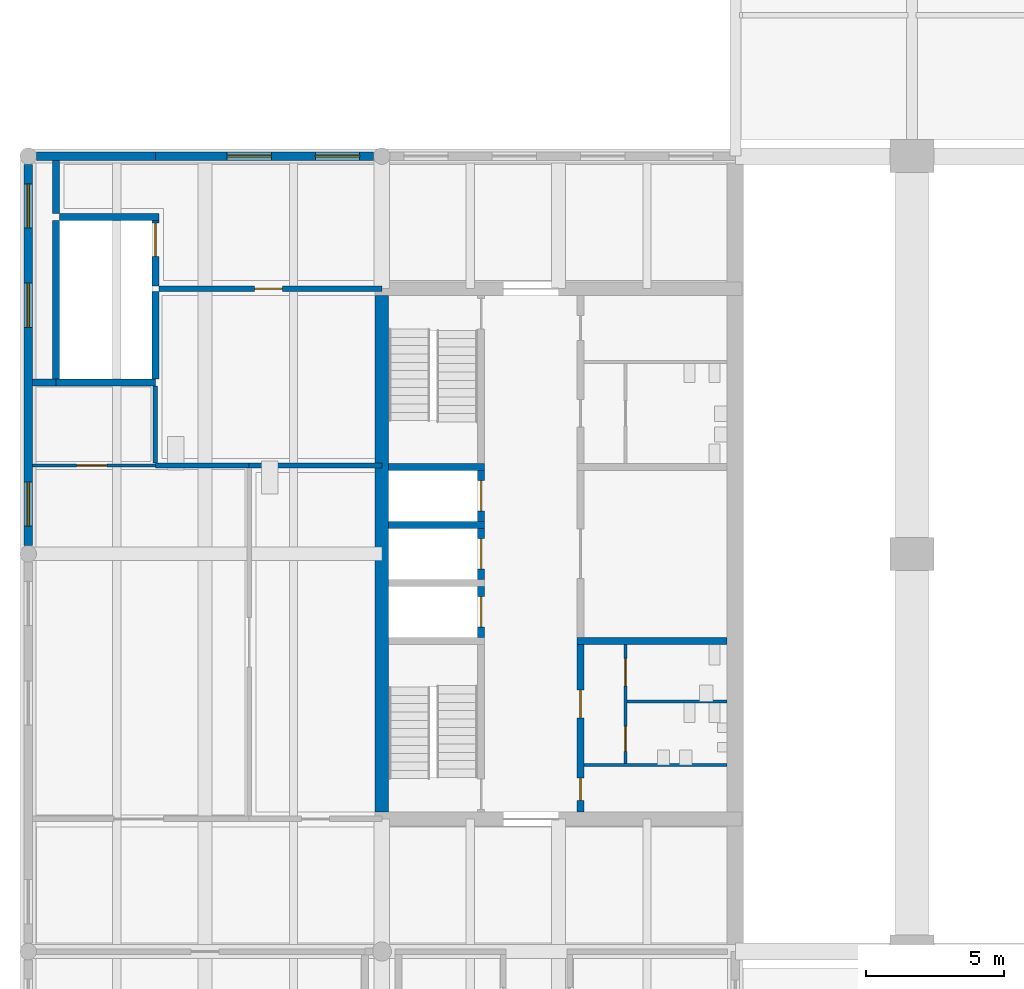
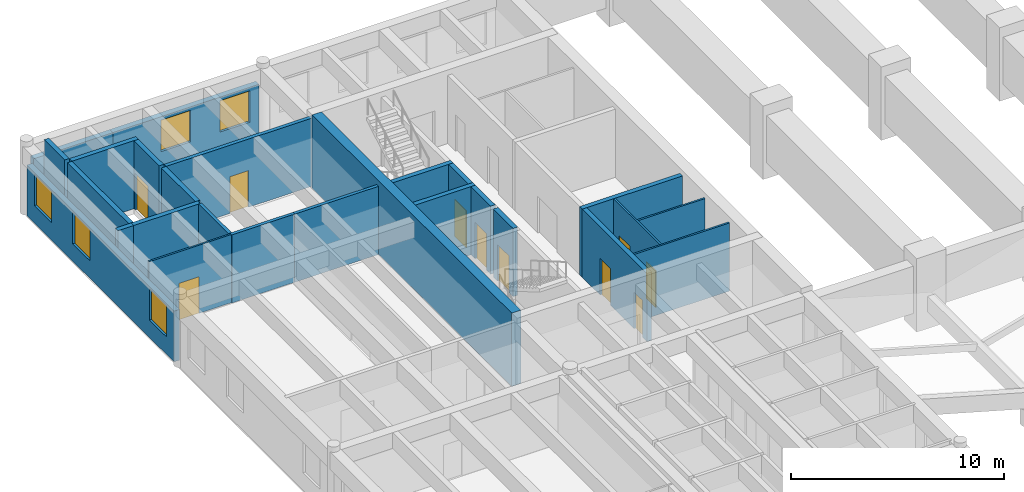
# One storey, part 8 of 19: 26 walls, 10 doors, 5 windows, 15 openings.
"""IFC4 building model written with IfcOpenShell, lengths in metres."""

from ifc_helpers import new_model, si_unit, direction, frame, frame_2d, origin, place, context, subcontext, project, spatial, rectangle, extrude, material, layer, layer_set, type_object, element, fill, save


model = new_model("IFC4")

# Units and contexts
model_context = context("Model", 3, precision=1e-05, world=origin(), true_north=direction((0.0, 1.0)))
body_context = subcontext(model_context, "Body", "Model", "MODEL_VIEW")
ifc_project = project(units=[si_unit("LENGTHUNIT", "METRE"), si_unit("AREAUNIT", "SQUARE_METRE"), si_unit("VOLUMEUNIT", "CUBIC_METRE"), si_unit("PLANEANGLEUNIT", "RADIAN"), si_unit("MASSUNIT", "GRAM", prefix="KILO")], contexts=[model_context])

# Site, building, storey
site_placement = place(None, origin())
site = spatial("IfcSite", under=ifc_project, at=site_placement, CompositionType="ELEMENT")
building_placement = place(site_placement, origin())
building = spatial("IfcBuilding", under=site, at=building_placement, Name="Fogon Plaza Fire Station and Headquarters Tower", CompositionType="ELEMENT")
storey_placement = place(building_placement, frame((0.0, 0.0, 4.199951171875)))
storey = spatial("IfcBuildingStorey", under=building, at=storey_placement, Name="L01", CompositionType="ELEMENT", Elevation=4.199951171875)

# Wall, openings, windows
ifc_material_1 = material(Name="Concrete C40", Category="concrete")
ifc_layer_1 = layer(ifc_material_1, 0.300048828125)
ifc_layer_set_1 = layer_set([ifc_layer_1], Name="Concrete C40")
wall_type_1 = type_object("IfcWallType", Name="Board-marked RC Infill Wall 300", PredefinedType="SOLIDWALL", material=ifc_layer_set_1)
wall_1_placement = place(storey_placement, frame((4.60009765625, 57.60009765625, 0.0), z_axis=(0.0, 0.0, 1.0), x_axis=(1.0, 0.0, 0.0)))
wall_1 = element("IfcWall", 1, at=wall_1_placement, inside=storey, type_object=wall_type_1, Name="Exterior wall WN L01", PredefinedType="SOLIDWALL", context=body_context, shape_type="SweptSolid", body=[
    extrude(rectangle(XDim=7.89990234375, YDim=0.300048828125, at=frame_2d((3.949951171875, 0.0))), origin(), (0.0, 0.0, 1.0), 3.0),
])
opening_1_placement = place(wall_1_placement, frame((2.60009765625, 0.0, 1.0)))
opening_1 = element("IfcOpeningElement", 2, at=opening_1_placement, cuts=wall_1, Name="Opening W1", PredefinedType="OPENING", context=body_context, shape_type="SweptSolid", body=[
    extrude(rectangle(XDim=1.60009765625, YDim=1.800048828125, at=frame_2d((0.800048828125, 0.89990234375))), frame((0.0, 0.159912109375, 0.0), z_axis=(0.0, -1.0, 0.0), x_axis=(1.0, 0.0, 0.0)), (0.0, 0.0, 1.0), 0.320068359375),
])
opening_2_placement = place(wall_1_placement, frame((5.800048828125, 0.0, 1.0)))
opening_2 = element("IfcOpeningElement", 3, at=opening_2_placement, cuts=wall_1, Name="Opening W1", PredefinedType="OPENING", context=body_context, shape_type="SweptSolid", body=[
    extrude(rectangle(XDim=1.60009765625, YDim=1.800048828125, at=frame_2d((0.800048828125, 0.89990234375))), frame((0.0, 0.159912109375, 0.0), z_axis=(0.0, -1.0, 0.0), x_axis=(1.0, 0.0, 0.0)), (0.0, 0.0, 1.0), 0.320068359375),
])
ifc_material_2 = material(Name="Aluminium framed double glazing", Category="aluminium")
window_type = type_object("IfcWindowType", Name="Window W1 1600x1800", PartitioningType="SINGLE_PANEL", PredefinedType="WINDOW", material=ifc_material_2)
window_1_placement = place(opening_1_placement, origin())
window_1 = element("IfcWindow", 4, at=window_1_placement, inside=storey, type_object=window_type, Name="Window W1 N L01", OverallHeight=1.800048828125, OverallWidth=1.60009765625, PartitioningType="SINGLE_PANEL", PredefinedType="WINDOW", context=body_context, shape_type="SweptSolid", body=[
    extrude(rectangle(XDim=1.60009765625, YDim=1.800048828125, at=frame_2d((0.800048828125, 0.89990234375))), frame((0.0, 0.030029296875, 0.0), z_axis=(0.0, -1.0, 0.0), x_axis=(1.0, 0.0, 0.0)), (0.0, 0.0, 1.0), 0.06005859375),
])
fill(opening_1, window_1)
window_2_placement = place(opening_2_placement, origin())
window_2 = element("IfcWindow", 5, at=window_2_placement, inside=storey, type_object=window_type, Name="Window W1 N L01", OverallHeight=1.800048828125, OverallWidth=1.60009765625, PartitioningType="SINGLE_PANEL", PredefinedType="WINDOW", context=body_context, shape_type="SweptSolid", body=[
    extrude(rectangle(XDim=1.60009765625, YDim=1.800048828125, at=frame_2d((0.800048828125, 0.89990234375))), frame((0.0, 0.030029296875, 0.0), z_axis=(0.0, -1.0, 0.0), x_axis=(1.0, 0.0, 0.0)), (0.0, 0.0, 1.0), 0.06005859375),
])
fill(opening_2, window_2)

ifc_material_3 = material(Name="Concrete C40", Category="concrete")
ifc_layer_2 = layer(ifc_material_3, 0.300048828125)
ifc_layer_set_2 = layer_set([ifc_layer_2], Name="Concrete C40")
wall_type_2 = type_object("IfcWallType", Name="Board-marked RC Infill Wall 300 Beam Head 100", PredefinedType="SOLIDWALL", material=ifc_layer_set_2)
wall_2_placement = place(storey_placement, frame((0.0, 43.5, 0.0), z_axis=(0.0, 0.0, 1.0), x_axis=(0.0, 1.0, 0.0)))
wall_2 = element("IfcWall", 6, at=wall_2_placement, inside=storey, type_object=wall_type_2, Name="Exterior wall WW L01", PredefinedType="SOLIDWALL", context=body_context, shape_type="SweptSolid", body=[
    extrude(rectangle(XDim=13.800048828125, YDim=0.300048828125, at=frame_2d((6.89990234375, 0.0))), origin(), (0.0, 0.0, 1.0), 2.900146484375),
])
opening_3_placement = place(wall_2_placement, frame((0.699951171875, 0.0, 1.0)))
opening_3 = element("IfcOpeningElement", 7, at=opening_3_placement, cuts=wall_2, Name="Opening W1", PredefinedType="OPENING", context=body_context, shape_type="SweptSolid", body=[
    extrude(rectangle(XDim=1.60009765625, YDim=1.800048828125, at=frame_2d((0.800048828125, 0.89990234375))), frame((0.0, 0.159912109375, 0.0), z_axis=(0.0, -1.0, 0.0), x_axis=(1.0, 0.0, 0.0)), (0.0, 0.0, 1.0), 0.320068359375),
])
opening_4_placement = place(wall_2_placement, frame((7.89990234375, 0.0, 1.0)))
opening_4 = element("IfcOpeningElement", 8, at=opening_4_placement, cuts=wall_2, Name="Opening W1", PredefinedType="OPENING", context=body_context, shape_type="SweptSolid", body=[
    extrude(rectangle(XDim=1.60009765625, YDim=1.800048828125, at=frame_2d((0.800048828125, 0.89990234375))), frame((0.0, 0.159912109375, 0.0), z_axis=(0.0, -1.0, 0.0), x_axis=(1.0, 0.0, 0.0)), (0.0, 0.0, 1.0), 0.320068359375),
])
opening_5_placement = place(wall_2_placement, frame((11.5, 0.0, 1.0)))
opening_5 = element("IfcOpeningElement", 9, at=opening_5_placement, cuts=wall_2, Name="Opening W1", PredefinedType="OPENING", context=body_context, shape_type="SweptSolid", body=[
    extrude(rectangle(XDim=1.60009765625, YDim=1.800048828125, at=frame_2d((0.800048828125, 0.89990234375))), frame((0.0, 0.159912109375, 0.0), z_axis=(0.0, -1.0, 0.0), x_axis=(1.0, 0.0, 0.0)), (0.0, 0.0, 1.0), 0.320068359375),
])
window_3_placement = place(opening_3_placement, origin())
window_3 = element("IfcWindow", 10, at=window_3_placement, inside=storey, type_object=window_type, Name="Window W1 W L01", OverallHeight=1.800048828125, OverallWidth=1.60009765625, PartitioningType="SINGLE_PANEL", PredefinedType="WINDOW", context=body_context, shape_type="SweptSolid", body=[
    extrude(rectangle(XDim=1.60009765625, YDim=1.800048828125, at=frame_2d((0.800048828125, 0.89990234375))), frame((0.0, 0.030029296875, 0.0), z_axis=(0.0, -1.0, 0.0), x_axis=(1.0, 0.0, 0.0)), (0.0, 0.0, 1.0), 0.06005859375),
])
fill(opening_3, window_3)
window_4_placement = place(opening_4_placement, origin())
window_4 = element("IfcWindow", 11, at=window_4_placement, inside=storey, type_object=window_type, Name="Window W1 W L01", OverallHeight=1.800048828125, OverallWidth=1.60009765625, PartitioningType="SINGLE_PANEL", PredefinedType="WINDOW", context=body_context, shape_type="SweptSolid", body=[
    extrude(rectangle(XDim=1.60009765625, YDim=1.800048828125, at=frame_2d((0.800048828125, 0.89990234375))), frame((0.0, 0.030029296875, 0.0), z_axis=(0.0, -1.0, 0.0), x_axis=(1.0, 0.0, 0.0)), (0.0, 0.0, 1.0), 0.06005859375),
])
fill(opening_4, window_4)
window_5_placement = place(opening_5_placement, origin())
window_5 = element("IfcWindow", 12, at=window_5_placement, inside=storey, type_object=window_type, Name="Window W1 W L01", OverallHeight=1.800048828125, OverallWidth=1.60009765625, PartitioningType="SINGLE_PANEL", PredefinedType="WINDOW", context=body_context, shape_type="SweptSolid", body=[
    extrude(rectangle(XDim=1.60009765625, YDim=1.800048828125, at=frame_2d((0.800048828125, 0.89990234375))), frame((0.0, 0.030029296875, 0.0), z_axis=(0.0, -1.0, 0.0), x_axis=(1.0, 0.0, 0.0)), (0.0, 0.0, 1.0), 0.06005859375),
])
fill(opening_5, window_5)

# Walls
ifc_material_4 = material(Name="Concrete C40", Category="concrete")
ifc_layer_3 = layer(ifc_material_4, 0.300048828125)
ifc_layer_set_3 = layer_set([ifc_layer_3], Name="Concrete C40")
wall_type_3 = type_object("IfcWallType", Name="Board-marked RC Infill Wall 300 EI 120", PredefinedType="SOLIDWALL", material=ifc_layer_set_3)
wall_3_placement = place(storey_placement, frame((0.300048828125, 57.60009765625, 0.0), z_axis=(0.0, 0.0, 1.0), x_axis=(1.0, 0.0, 0.0)))
element("IfcWall", 13, at=wall_3_placement, inside=storey, type_object=wall_type_3, Name="Exterior wall WN L01", PredefinedType="SOLIDWALL", context=body_context, shape_type="SweptSolid", body=[
    extrude(rectangle(XDim=4.300048828125, YDim=0.300048828125, at=frame_2d((2.14990234375, 0.0))), origin(), (0.0, 0.0, 1.0), 3.0),
])
ifc_material_5 = material(Name="Concrete C40", Category="concrete")
ifc_layer_4 = layer(ifc_material_5, 0.25)
ifc_layer_set_4 = layer_set([ifc_layer_4], Name="Concrete C40")
wall_type_4 = type_object("IfcWallType", Name="Core Wall RC 250", PredefinedType="SOLIDWALL", material=ifc_layer_set_4)
for number, where, z_axis, x_axis, name in (
    (14, (13.050048828125, 44.25, 0.0), (0.0, 0.0, 1.0), (1.0, 0.0, 0.0), "Core A shaft wall"),
    (15, (13.050048828125, 46.35009765625, 0.0), (0.0, 0.0, 1.0), (1.0, 0.0, 0.0), "Core A shaft wall"),
):
    element("IfcWall", number, at=place(storey_placement, frame(where, z_axis=z_axis, x_axis=x_axis)), inside=storey, type_object=wall_type_4, Name=name, PredefinedType="SOLIDWALL", context=body_context, shape_type="SweptSolid", body=[
        extrude(rectangle(XDim=3.474853515625, YDim=0.25, at=frame_2d((1.7373046875, 0.0))), origin(), (0.0, 0.0, 1.0), 3.900146484375),
    ])

# Wall, opening, door
wall_4_placement = place(storey_placement, frame((16.39990234375, 40.175048828125, 0.0), z_axis=(0.0, 0.0, 1.0), x_axis=(0.0, 1.0, 0.0)))
wall_4 = element("IfcWall", 16, at=wall_4_placement, inside=storey, type_object=wall_type_4, Name="Core A shaft wall", PredefinedType="SOLIDWALL", context=body_context, shape_type="SweptSolid", body=[
    extrude(rectangle(XDim=1.849853515625, YDim=0.25, at=frame_2d((0.9248046875, 0.0))), origin(), (0.0, 0.0, 1.0), 3.900146484375),
])
opening_6_placement = place(wall_4_placement, frame((0.375, 0.0, 0.0)))
opening_6 = element("IfcOpeningElement", 17, at=opening_6_placement, cuts=wall_4, Name="Opening L01-D03", PredefinedType="OPENING", context=body_context, shape_type="SweptSolid", body=[
    extrude(rectangle(XDim=1.10009765625, YDim=2.10009765625, at=frame_2d((0.550048828125, 1.050048828125))), frame((0.0, 0.135009765625, 0.0), z_axis=(0.0, -1.0, 0.0), x_axis=(1.0, 0.0, 0.0)), (0.0, 0.0, 1.0), 0.27001953125),
])
ifc_material_6 = material(Name="Stainless Steel", Category="steel")
door_type_1 = type_object("IfcDoorType", Name="Lift Landing Door 1100x2100", OperationType="SLIDING_TO_LEFT", PredefinedType="DOOR", material=ifc_material_6)
door_1_placement = place(opening_6_placement, origin())
door_1 = element("IfcDoor", 18, at=door_1_placement, inside=storey, type_object=door_type_1, Name="Lift LP1 landing door", OperationType="SLIDING_TO_LEFT", OverallHeight=2.10009765625, OverallWidth=1.10009765625, PredefinedType="DOOR", context=body_context, shape_type="SweptSolid", body=[
    extrude(rectangle(XDim=1.10009765625, YDim=2.10009765625, at=frame_2d((0.550048828125, 1.050048828125))), frame((0.0, 0.02490234375, 0.0), z_axis=(0.0, -1.0, 0.0), x_axis=(1.0, 0.0, 0.0)), (0.0, 0.0, 1.0), 0.050048828125),
])
fill(opening_6, door_1)

wall_5_placement = place(storey_placement, frame((16.39990234375, 42.27490234375, 0.0), z_axis=(0.0, 0.0, 1.0), x_axis=(0.0, 1.0, 0.0)))
wall_5 = element("IfcWall", 19, at=wall_5_placement, inside=storey, type_object=wall_type_4, Name="Core A shaft wall", PredefinedType="SOLIDWALL", context=body_context, shape_type="SweptSolid", body=[
    extrude(rectangle(XDim=1.85009765625, YDim=0.25, at=frame_2d((0.925048828125, 0.0))), origin(), (0.0, 0.0, 1.0), 3.900146484375),
])
opening_7_placement = place(wall_5_placement, frame((0.375, 0.0, 0.0)))
opening_7 = element("IfcOpeningElement", 20, at=opening_7_placement, cuts=wall_5, Name="Opening L01-D04", PredefinedType="OPENING", context=body_context, shape_type="SweptSolid", body=[
    extrude(rectangle(XDim=1.10009765625, YDim=2.10009765625, at=frame_2d((0.550048828125, 1.050048828125))), frame((0.0, 0.135009765625, 0.0), z_axis=(0.0, -1.0, 0.0), x_axis=(1.0, 0.0, 0.0)), (0.0, 0.0, 1.0), 0.27001953125),
])
door_2_placement = place(opening_7_placement, origin())
door_2 = element("IfcDoor", 21, at=door_2_placement, inside=storey, type_object=door_type_1, Name="Lift LP2 landing door", OperationType="SLIDING_TO_LEFT", OverallHeight=2.10009765625, OverallWidth=1.10009765625, PredefinedType="DOOR", context=body_context, shape_type="SweptSolid", body=[
    extrude(rectangle(XDim=1.10009765625, YDim=2.10009765625, at=frame_2d((0.550048828125, 1.050048828125))), frame((0.0, 0.02490234375, 0.0), z_axis=(0.0, -1.0, 0.0), x_axis=(1.0, 0.0, 0.0)), (0.0, 0.0, 1.0), 0.050048828125),
])
fill(opening_7, door_2)

wall_6_placement = place(storey_placement, frame((16.39990234375, 44.375, 0.0), z_axis=(0.0, 0.0, 1.0), x_axis=(0.0, 1.0, 0.0)))
wall_6 = element("IfcWall", 22, at=wall_6_placement, inside=storey, type_object=wall_type_4, Name="Core A shaft wall", PredefinedType="SOLIDWALL", context=body_context, shape_type="SweptSolid", body=[
    extrude(rectangle(XDim=1.85009765625, YDim=0.25, at=frame_2d((0.925048828125, 0.0))), origin(), (0.0, 0.0, 1.0), 3.900146484375),
])
opening_8_placement = place(wall_6_placement, frame((0.375, 0.0, 0.0)))
opening_8 = element("IfcOpeningElement", 23, at=opening_8_placement, cuts=wall_6, Name="Opening L01-D05", PredefinedType="OPENING", context=body_context, shape_type="SweptSolid", body=[
    extrude(rectangle(XDim=1.10009765625, YDim=2.10009765625, at=frame_2d((0.550048828125, 1.050048828125))), frame((0.0, 0.135009765625, 0.0), z_axis=(0.0, -1.0, 0.0), x_axis=(1.0, 0.0, 0.0)), (0.0, 0.0, 1.0), 0.27001953125),
])
door_3_placement = place(opening_8_placement, origin())
door_3 = element("IfcDoor", 24, at=door_3_placement, inside=storey, type_object=door_type_1, Name="Lift FL1 landing door", OperationType="SLIDING_TO_LEFT", OverallHeight=2.10009765625, OverallWidth=1.10009765625, PredefinedType="DOOR", context=body_context, shape_type="SweptSolid", body=[
    extrude(rectangle(XDim=1.10009765625, YDim=2.10009765625, at=frame_2d((0.550048828125, 1.050048828125))), frame((0.0, 0.02490234375, 0.0), z_axis=(0.0, -1.0, 0.0), x_axis=(1.0, 0.0, 0.0)), (0.0, 0.0, 1.0), 0.050048828125),
])
fill(opening_8, door_3)

# Wall, openings, doors
wall_7_placement = place(storey_placement, frame((20.0, 33.85009765625, 0.0), z_axis=(0.0, 0.0, 1.0), x_axis=(0.0, 1.0, 0.0)))
wall_7 = element("IfcWall", 25, at=wall_7_placement, inside=storey, type_object=wall_type_4, Name="Core A shaft wall", PredefinedType="SOLIDWALL", context=body_context, shape_type="SweptSolid", body=[
    extrude(rectangle(XDim=6.074951171875, YDim=0.25, at=frame_2d((3.03759765625, 0.0))), origin(), (0.0, 0.0, 1.0), 3.900146484375),
])
opening_9_placement = place(wall_7_placement, frame((0.425048828125, 0.0, 0.0)))
opening_9 = element("IfcOpeningElement", 26, at=opening_9_placement, cuts=wall_7, Name="Opening L01-D07", PredefinedType="OPENING", context=body_context, shape_type="SweptSolid", body=[
    extrude(rectangle(XDim=0.800048828125, YDim=2.10009765625, at=frame_2d((0.39990234375, 1.050048828125))), frame((0.0, 0.135009765625, 0.0), z_axis=(0.0, -1.0, 0.0), x_axis=(1.0, 0.0, 0.0)), (0.0, 0.0, 1.0), 0.27001953125),
])
opening_10_placement = place(wall_7_placement, frame((3.41259765625, 0.0, 0.0)))
opening_10 = element("IfcOpeningElement", 27, at=opening_10_placement, cuts=wall_7, Name="Opening L01-D08", PredefinedType="OPENING", context=body_context, shape_type="SweptSolid", body=[
    extrude(rectangle(XDim=1.0, YDim=2.10009765625, at=frame_2d((0.5, 1.050048828125))), frame((0.0, 0.135009765625, 0.0), z_axis=(0.0, -1.0, 0.0), x_axis=(1.0, 0.0, 0.0)), (0.0, 0.0, 1.0), 0.27001953125),
])
ifc_material_7 = material(Name="Timber Door Leaf", Category="wood")
door_type_2 = type_object("IfcDoorType", Name="Cleaner Store Single 800x2100", OperationType="SINGLE_SWING_LEFT", PredefinedType="DOOR", material=ifc_material_7)
door_4_placement = place(opening_9_placement, frame((0.800048828125, 0.0, 0.0), z_axis=(0.0, 0.0, 1.0), x_axis=(-1.0, 0.0, 0.0)))
door_4 = element("IfcDoor", 28, at=door_4_placement, inside=storey, type_object=door_type_2, Name="Cleaner's store A door", OperationType="SINGLE_SWING_LEFT", OverallHeight=2.10009765625, OverallWidth=0.800048828125, PredefinedType="DOOR", context=body_context, shape_type="SweptSolid", body=[
    extrude(rectangle(XDim=0.800048828125, YDim=2.10009765625, at=frame_2d((0.39990234375, 1.050048828125))), frame((0.0, 0.02490234375, 0.0), z_axis=(0.0, -1.0, 0.0), x_axis=(1.0, 0.0, 0.0)), (0.0, 0.0, 1.0), 0.050048828125),
])
fill(opening_9, door_4)
ifc_material_8 = material(Name="Timber fire door", Category="wood")
door_type_3 = type_object("IfcDoorType", Name="WC Lobby Single 1000x2100", OperationType="SINGLE_SWING_LEFT", PredefinedType="DOOR", material=ifc_material_8)
door_5_placement = place(opening_10_placement, frame((1.0, 0.0, 0.0), z_axis=(0.0, 0.0, 1.0), x_axis=(-1.0, 0.0, 0.0)))
door_5 = element("IfcDoor", 29, at=door_5_placement, inside=storey, type_object=door_type_3, Name="Men's WC lobby A door", OperationType="SINGLE_SWING_RIGHT", OverallHeight=2.10009765625, OverallWidth=1.0, PredefinedType="DOOR", context=body_context, shape_type="SweptSolid", body=[
    extrude(rectangle(XDim=1.0, YDim=2.10009765625, at=frame_2d((0.5, 1.050048828125))), frame((0.0, 0.02490234375, 0.0), z_axis=(0.0, -1.0, 0.0), x_axis=(1.0, 0.0, 0.0)), (0.0, 0.0, 1.0), 0.050048828125),
])
fill(opening_10, door_5)

# Wall
wall_8_placement = place(storey_placement, frame((19.875, 40.050048828125, 0.0), z_axis=(0.0, 0.0, 1.0), x_axis=(1.0, 0.0, 0.0)))
element("IfcWall", 30, at=wall_8_placement, inside=storey, type_object=wall_type_4, Name="Core A shaft wall", PredefinedType="SOLIDWALL", context=body_context, shape_type="SweptSolid", body=[
    extrude(rectangle(XDim=5.425048828125, YDim=0.25, at=frame_2d((2.71240234375, 0.0))), origin(), (0.0, 0.0, 1.0), 3.900146484375),
])

# Wall, opening, door
ifc_material_9 = material(Name="Gypsum Board Fire Partition")
ifc_layer_5 = layer(ifc_material_9, 0.199951171875)
ifc_layer_set_5 = layer_set([ifc_layer_5], Name="Gypsum Board Fire Partition")
wall_type_5 = type_object("IfcWallType", Name="Corridor Wall EI 60", PredefinedType="PARTITIONING", material=ifc_layer_set_5)
wall_9_placement = place(storey_placement, frame((4.72509765625, 52.800048828125, 0.0), z_axis=(0.0, 0.0, 1.0), x_axis=(1.0, 0.0, 0.0)))
wall_9 = element("IfcWall", 31, at=wall_9_placement, inside=storey, type_object=wall_type_5, Name="wall-L01-W-036", PredefinedType="PARTITIONING", context=body_context, shape_type="SweptSolid", body=[
    extrude(rectangle(XDim=8.074951171875, YDim=0.199951171875, at=frame_2d((4.03759765625, 0.0))), origin(), (0.0, 0.0, 1.0), 3.900146484375),
])
opening_11_placement = place(wall_9_placement, frame((3.47509765625, 0.0, 0.0)))
opening_11 = element("IfcOpeningElement", 32, at=opening_11_placement, cuts=wall_9, Name="Opening L01-D57", PredefinedType="OPENING", context=body_context, shape_type="SweptSolid", body=[
    extrude(rectangle(XDim=1.0, YDim=2.10009765625, at=frame_2d((0.5, 1.050048828125))), frame((0.0, 0.10986328125, 0.0), z_axis=(0.0, -1.0, 0.0), x_axis=(1.0, 0.0, 0.0)), (0.0, 0.0, 1.0), 0.219970703125),
])
ifc_material_10 = material(Name="Steel Fire Door Leaf", Category="steel")
door_type_4 = type_object("IfcDoorType", Name="Corridor Door EI 20 1000x2100", OperationType="SINGLE_SWING_LEFT", PredefinedType="DOOR", material=ifc_material_10)
door_6_placement = place(opening_11_placement, frame((1.0, 0.0, 0.0), z_axis=(0.0, 0.0, 1.0), x_axis=(-1.0, 0.0, 0.0)))
door_6 = element("IfcDoor", 33, at=door_6_placement, inside=storey, type_object=door_type_4, Name="door-L01-W-27", OperationType="SINGLE_SWING_LEFT", OverallHeight=2.10009765625, OverallWidth=1.0, PredefinedType="DOOR", context=body_context, shape_type="SweptSolid", body=[
    extrude(rectangle(XDim=1.0, YDim=2.10009765625, at=frame_2d((0.5, 1.050048828125))), frame((0.0, 0.02490234375, 0.0), z_axis=(0.0, -1.0, 0.0), x_axis=(1.0, 0.0, 0.0)), (0.0, 0.0, 1.0), 0.050048828125),
])
fill(opening_11, door_6)

# Wall
ifc_material_11 = material(Name="Blockwork", Category="masonry")
ifc_layer_6 = layer(ifc_material_11, 0.10009765625)
ifc_layer_set_6 = layer_set([ifc_layer_6], Name="Blockwork")
wall_type_6 = type_object("IfcWallType", Name="Partition Blockwork 100", PredefinedType="PARTITIONING", material=ifc_layer_set_6)
wall_10_placement = place(storey_placement, frame((20.125, 35.550048828125, 0.0), z_axis=(0.0, 0.0, 1.0), x_axis=(1.0, 0.0, 0.0)))
element("IfcWall", 34, at=wall_10_placement, inside=storey, type_object=wall_type_6, Name="Cleaner's store partition", PredefinedType="PARTITIONING", context=body_context, shape_type="SweptSolid", body=[
    extrude(rectangle(XDim=5.175048828125, YDim=0.10009765625, at=frame_2d((2.58740234375, 0.0))), origin(), (0.0, 0.0, 1.0), 3.900146484375),
])

# Wall, openings, doors
wall_11_placement = place(storey_placement, frame((21.625, 35.60009765625, 0.0), z_axis=(0.0, 0.0, 1.0), x_axis=(0.0, 1.0, 0.0)))
wall_11 = element("IfcWall", 35, at=wall_11_placement, inside=storey, type_object=wall_type_6, Name="WC block partition", PredefinedType="PARTITIONING", context=body_context, shape_type="SweptSolid", body=[
    extrude(rectangle(XDim=4.324951171875, YDim=0.10009765625, at=frame_2d((2.16259765625, 0.0))), origin(), (0.0, 0.0, 1.0), 3.900146484375),
])
opening_12_placement = place(wall_11_placement, frame((0.449951171875, 0.0, 0.0)))
opening_12 = element("IfcOpeningElement", 36, at=opening_12_placement, cuts=wall_11, Name="Opening L01-D09", PredefinedType="OPENING", context=body_context, shape_type="SweptSolid", body=[
    extrude(rectangle(XDim=0.89990234375, YDim=2.10009765625, at=frame_2d((0.449951171875, 1.050048828125))), frame((0.0, 0.06005859375, 0.0), z_axis=(0.0, -1.0, 0.0), x_axis=(1.0, 0.0, 0.0)), (0.0, 0.0, 1.0), 0.1201171875),
])
opening_13_placement = place(wall_11_placement, frame((2.8125, 0.0, 0.0)))
opening_13 = element("IfcOpeningElement", 37, at=opening_13_placement, cuts=wall_11, Name="Opening L01-D10", PredefinedType="OPENING", context=body_context, shape_type="SweptSolid", body=[
    extrude(rectangle(XDim=1.0, YDim=2.10009765625, at=frame_2d((0.5, 1.050048828125))), frame((0.0, 0.06005859375, 0.0), z_axis=(0.0, -1.0, 0.0), x_axis=(1.0, 0.0, 0.0)), (0.0, 0.0, 1.0), 0.1201171875),
])
ifc_material_12 = material(Name="Timber Door Leaf", Category="wood")
door_type_5 = type_object("IfcDoorType", Name="Accessible WC Single 1000x2100", OperationType="SINGLE_SWING_LEFT", PredefinedType="DOOR", material=ifc_material_12)
door_7_placement = place(opening_13_placement, frame((1.0, 0.0, 0.0), z_axis=(0.0, 0.0, 1.0), x_axis=(-1.0, 0.0, 0.0)))
door_7 = element("IfcDoor", 38, at=door_7_placement, inside=storey, type_object=door_type_5, Name="Accessible WC A door", OperationType="SINGLE_SWING_RIGHT", OverallHeight=2.10009765625, OverallWidth=1.0, PredefinedType="DOOR", context=body_context, shape_type="SweptSolid", body=[
    extrude(rectangle(XDim=1.0, YDim=2.10009765625, at=frame_2d((0.5, 1.050048828125))), frame((0.0, 0.02490234375, 0.0), z_axis=(0.0, -1.0, 0.0), x_axis=(1.0, 0.0, 0.0)), (0.0, 0.0, 1.0), 0.050048828125),
])
fill(opening_13, door_7)
ifc_material_13 = material(Name="Timber Door Leaf", Category="wood")
door_type_6 = type_object("IfcDoorType", Name="WC Single 900x2100", OperationType="SINGLE_SWING_LEFT", PredefinedType="DOOR", material=ifc_material_13)
door_8_placement = place(opening_12_placement, frame((0.89990234375, 0.0, 0.0), z_axis=(0.0, 0.0, 1.0), x_axis=(-1.0, 0.0, 0.0)))
door_8 = element("IfcDoor", 39, at=door_8_placement, inside=storey, type_object=door_type_6, Name="Men's WC A door", OperationType="SINGLE_SWING_RIGHT", OverallHeight=2.10009765625, OverallWidth=0.89990234375, PredefinedType="DOOR", context=body_context, shape_type="SweptSolid", body=[
    extrude(rectangle(XDim=0.89990234375, YDim=2.10009765625, at=frame_2d((0.449951171875, 1.050048828125))), frame((0.0, 0.02490234375, 0.0), z_axis=(0.0, -1.0, 0.0), x_axis=(1.0, 0.0, 0.0)), (0.0, 0.0, 1.0), 0.050048828125),
])
fill(opening_12, door_8)

# Wall
wall_12_placement = place(storey_placement, frame((21.675048828125, 37.85009765625, 0.0), z_axis=(0.0, 0.0, 1.0), x_axis=(1.0, 0.0, 0.0)))
element("IfcWall", 40, at=wall_12_placement, inside=storey, type_object=wall_type_6, Name="WC block partition", PredefinedType="PARTITIONING", context=body_context, shape_type="SweptSolid", body=[
    extrude(rectangle(XDim=3.625, YDim=0.10009765625, at=frame_2d((1.8125, 0.0))), origin(), (0.0, 0.0, 1.0), 3.900146484375),
])

# Wall, opening, door
ifc_material_14 = material(Name="Gypsum Board Partition")
ifc_layer_7 = layer(ifc_material_14, 0.10009765625)
ifc_layer_set_7 = layer_set([ifc_layer_7], Name="Gypsum Board Partition")
wall_type_7 = type_object("IfcWallType", Name="Partition Gypsum 100", PredefinedType="PARTITIONING", material=ifc_layer_set_7)
wall_13_placement = place(storey_placement, frame((0.14990234375, 46.39990234375, 0.0), z_axis=(0.0, 0.0, 1.0), x_axis=(1.0, 0.0, 0.0)))
wall_13 = element("IfcWall", 41, at=wall_13_placement, inside=storey, type_object=wall_type_7, Name="wall-L01-W-031", PredefinedType="PARTITIONING", context=body_context, shape_type="SweptSolid", body=[
    extrude(rectangle(XDim=4.4501953125, YDim=0.10009765625, at=frame_2d((2.22509765625, 0.0))), origin(), (0.0, 0.0, 1.0), 3.900146484375),
])
opening_14_placement = place(wall_13_placement, frame((1.60009765625, 0.0, 0.0)))
opening_14 = element("IfcOpeningElement", 42, at=opening_14_placement, cuts=wall_13, Name="Opening L01-D56", PredefinedType="OPENING", context=body_context, shape_type="SweptSolid", body=[
    extrude(rectangle(XDim=1.10009765625, YDim=2.10009765625, at=frame_2d((0.550048828125, 1.050048828125))), frame((0.0, 0.06005859375, 0.0), z_axis=(0.0, -1.0, 0.0), x_axis=(1.0, 0.0, 0.0)), (0.0, 0.0, 1.0), 0.1201171875),
])
ifc_material_15 = material(Name="Timber Door Leaf", Category="wood")
door_type_7 = type_object("IfcDoorType", Name="Door Single 1100x2100", OperationType="SINGLE_SWING_LEFT", PredefinedType="DOOR", material=ifc_material_15)
door_9_placement = place(opening_14_placement, origin())
door_9 = element("IfcDoor", 43, at=door_9_placement, inside=storey, type_object=door_type_7, Name="door-L01-W-26", OperationType="SINGLE_SWING_LEFT", OverallHeight=2.10009765625, OverallWidth=1.10009765625, PredefinedType="DOOR", context=body_context, shape_type="SweptSolid", body=[
    extrude(rectangle(XDim=1.10009765625, YDim=2.10009765625, at=frame_2d((0.550048828125, 1.050048828125))), frame((0.0, 0.02490234375, 0.0), z_axis=(0.0, -1.0, 0.0), x_axis=(1.0, 0.0, 0.0)), (0.0, 0.0, 1.0), 0.050048828125),
])
fill(opening_14, door_9)

# Walls
ifc_material_16 = material(Name="Concrete C40", Category="concrete")
ifc_layer_8 = layer(ifc_material_16, 0.5)
ifc_layer_set_8 = layer_set([ifc_layer_8], Name="Concrete C40")
wall_type_8 = type_object("IfcWallType", Name="Shear wall 500 SW50", PredefinedType="SHEAR", material=ifc_layer_set_8)
wall_14_placement = place(storey_placement, frame((12.800048828125, 33.85009765625, 0.0), z_axis=(0.0, 0.0, 1.0), x_axis=(0.0, 1.0, 0.0)))
element("IfcWall", 44, at=wall_14_placement, inside=storey, type_object=wall_type_8, Name="wall-coreA-W-L01", PredefinedType="SHEAR", context=body_context, shape_type="SweptSolid", body=[
    extrude(rectangle(XDim=18.699951171875, YDim=0.5, at=frame_2d((9.35009765625, 0.0))), origin(), (0.0, 0.0, 1.0), 4.199951171875),
])
ifc_material_17 = material(Name="Concrete C40", Category="concrete")
ifc_layer_9 = layer(ifc_material_17, 0.25)
ifc_layer_set_9 = layer_set([ifc_layer_9], Name="Concrete C40")
wall_type_9 = type_object("IfcWallType", Name="Stair Shaft Wall RC 250", PredefinedType="SHEAR", material=ifc_layer_set_9)
wall_15_placement = place(storey_placement, frame((1.0, 49.39990234375, 0.0), z_axis=(0.0, 0.0, 1.0), x_axis=(1.0, 0.0, 0.0)))
element("IfcWall", 45, at=wall_15_placement, inside=storey, type_object=wall_type_9, Name="wall-L01-W-035", PredefinedType="SHEAR", context=body_context, shape_type="SweptSolid", body=[
    extrude(rectangle(XDim=3.610107421875, YDim=0.25, at=frame_2d((1.80517578125, 0.0))), origin(), (0.0, 0.0, 1.0), 3.900146484375),
])
wall_16_placement = place(storey_placement, frame((1.125, 55.39990234375, 0.0), z_axis=(0.0, 0.0, 1.0), x_axis=(1.0, 0.0, 0.0)))
element("IfcWall", 46, at=wall_16_placement, inside=storey, type_object=wall_type_9, Name="wall-L01-W-037", PredefinedType="SHEAR", context=body_context, shape_type="SweptSolid", body=[
    extrude(rectangle(XDim=3.60009765625, YDim=0.25, at=frame_2d((1.800048828125, 0.0))), origin(), (0.0, 0.0, 1.0), 3.900146484375),
])
wall_17_placement = place(storey_placement, frame((1.0, 49.52490234375, 0.0), z_axis=(0.0, 0.0, 1.0), x_axis=(0.0, 1.0, 0.0)))
element("IfcWall", 47, at=wall_17_placement, inside=storey, type_object=wall_type_9, Name="wall-L01-W-040", PredefinedType="SHEAR", context=body_context, shape_type="SweptSolid", body=[
    extrude(rectangle(XDim=5.75, YDim=0.25, at=frame_2d((2.875, 0.0))), origin(), (0.0, 0.0, 1.0), 3.900146484375),
])
wall_18_placement = place(storey_placement, frame((4.60009765625, 49.52490234375, 0.0), z_axis=(0.0, 0.0, 1.0), x_axis=(0.0, 1.0, 0.0)))
element("IfcWall", 48, at=wall_18_placement, inside=storey, type_object=wall_type_9, Name="wall-L01-W-045", PredefinedType="SHEAR", context=body_context, shape_type="SweptSolid", body=[
    extrude(rectangle(XDim=3.175048828125, YDim=0.25, at=frame_2d((1.58740234375, 0.0))), origin(), (0.0, 0.0, 1.0), 3.900146484375),
])

# Wall, opening, door
wall_19_placement = place(storey_placement, frame((4.60009765625, 52.89990234375, 0.0), z_axis=(0.0, 0.0, 1.0), x_axis=(0.0, 1.0, 0.0)))
wall_19 = element("IfcWall", 49, at=wall_19_placement, inside=storey, type_object=wall_type_9, Name="wall-L01-W-046", PredefinedType="SHEAR", context=body_context, shape_type="SweptSolid", body=[
    extrude(rectangle(XDim=2.375, YDim=0.25, at=frame_2d((1.1875, 0.0))), origin(), (0.0, 0.0, 1.0), 3.900146484375),
])
opening_15_placement = place(wall_19_placement, frame((1.074951171875, 0.0, 0.0)))
opening_15 = element("IfcOpeningElement", 50, at=opening_15_placement, cuts=wall_19, Name="Opening L01-D58", PredefinedType="OPENING", context=body_context, shape_type="SweptSolid", body=[
    extrude(rectangle(XDim=1.199951171875, YDim=2.10009765625, at=frame_2d((0.60009765625, 1.050048828125))), frame((0.0, 0.135009765625, 0.0), z_axis=(0.0, -1.0, 0.0), x_axis=(1.0, 0.0, 0.0)), (0.0, 0.0, 1.0), 0.27001953125),
])
ifc_material_18 = material(Name="Steel Fire Door Leaf", Category="steel")
door_type_8 = type_object("IfcDoorType", Name="Stair Door EI 90 1200x2100", OperationType="SINGLE_SWING_LEFT", PredefinedType="DOOR", material=ifc_material_18)
door_10_placement = place(opening_15_placement, origin())
door_10 = element("IfcDoor", 51, at=door_10_placement, inside=storey, type_object=door_type_8, Name="door-L01-W-28", OperationType="SINGLE_SWING_RIGHT", OverallHeight=2.10009765625, OverallWidth=1.199951171875, PredefinedType="DOOR", context=body_context, shape_type="SweptSolid", body=[
    extrude(rectangle(XDim=1.199951171875, YDim=2.10009765625, at=frame_2d((0.60009765625, 1.050048828125))), frame((0.0, 0.02490234375, 0.0), z_axis=(0.0, -1.0, 0.0), x_axis=(1.0, 0.0, 0.0)), (0.0, 0.0, 1.0), 0.050048828125),
])
fill(opening_15, door_10)

# Walls
ifc_material_19 = material(Name="Concrete Block Fire Wall", Category="concrete")
ifc_layer_10 = layer(ifc_material_19, 0.25)
ifc_layer_set_10 = layer_set([ifc_layer_10], Name="Concrete Block Fire Wall")
wall_type_10 = type_object("IfcWallType", Name="Stair and Shaft Wall EI 120", PredefinedType="PARTITIONING", material=ifc_layer_set_10)
wall_20_placement = place(storey_placement, frame((0.14990234375, 49.39990234375, 0.0), z_axis=(0.0, 0.0, 1.0), x_axis=(1.0, 0.0, 0.0)))
element("IfcWall", 52, at=wall_20_placement, inside=storey, type_object=wall_type_10, Name="wall-L01-W-034", PredefinedType="PARTITIONING", context=body_context, shape_type="SweptSolid", body=[
    extrude(rectangle(XDim=0.85009765625, YDim=0.25, at=frame_2d((0.425048828125, 0.0))), origin(), (0.0, 0.0, 1.0), 3.900146484375),
])
wall_21_placement = place(storey_placement, frame((1.0, 55.52490234375, 0.0), z_axis=(0.0, 0.0, 1.0), x_axis=(0.0, 1.0, 0.0)))
element("IfcWall", 53, at=wall_21_placement, inside=storey, type_object=wall_type_10, Name="wall-L01-W-041", PredefinedType="PARTITIONING", context=body_context, shape_type="SweptSolid", body=[
    extrude(rectangle(XDim=1.925048828125, YDim=0.25, at=frame_2d((0.96240234375, 0.0))), origin(), (0.0, 0.0, 1.0), 3.900146484375),
])
ifc_material_20 = material(Name="Tiled Concrete Block Wall", Category="concrete")
ifc_layer_11 = layer(ifc_material_20, 0.175048828125)
ifc_layer_set_11 = layer_set([ifc_layer_11], Name="Tiled Concrete Block Wall")
wall_type_11 = type_object("IfcWallType", Name="Wet Area Block Wall 175", PredefinedType="PARTITIONING", material=ifc_layer_set_11)
wall_22_placement = place(storey_placement, frame((4.60009765625, 46.39990234375, 0.0), z_axis=(0.0, 0.0, 1.0), x_axis=(1.0, 0.0, 0.0)))
element("IfcWall", 54, at=wall_22_placement, inside=storey, type_object=wall_type_11, Name="wall-L01-W-032", PredefinedType="PARTITIONING", context=body_context, shape_type="SweptSolid", body=[
    extrude(rectangle(XDim=3.39990234375, YDim=0.175048828125, at=frame_2d((1.699951171875, 0.0))), origin(), (0.0, 0.0, 1.0), 3.900146484375),
])
wall_23_placement = place(storey_placement, frame((8.0, 46.39990234375, 0.0), z_axis=(0.0, 0.0, 1.0), x_axis=(1.0, 0.0, 0.0)))
element("IfcWall", 55, at=wall_23_placement, inside=storey, type_object=wall_type_11, Name="wall-L01-W-033", PredefinedType="PARTITIONING", context=body_context, shape_type="SweptSolid", body=[
    extrude(rectangle(XDim=4.800048828125, YDim=0.175048828125, at=frame_2d((2.39990234375, 0.0))), origin(), (0.0, 0.0, 1.0), 3.900146484375),
])
wall_24_placement = place(storey_placement, frame((4.60009765625, 46.487548828125, 0.0), z_axis=(0.0, 0.0, 1.0), x_axis=(0.0, 1.0, 0.0)))
element("IfcWall", 56, at=wall_24_placement, inside=storey, type_object=wall_type_11, Name="wall-L01-W-044", PredefinedType="PARTITIONING", context=body_context, shape_type="SweptSolid", body=[
    extrude(rectangle(XDim=2.787353515625, YDim=0.175048828125, at=frame_2d((1.3935546875, 0.0))), origin(), (0.0, 0.0, 1.0), 3.900146484375),
])

save(model, "model.ifc")
